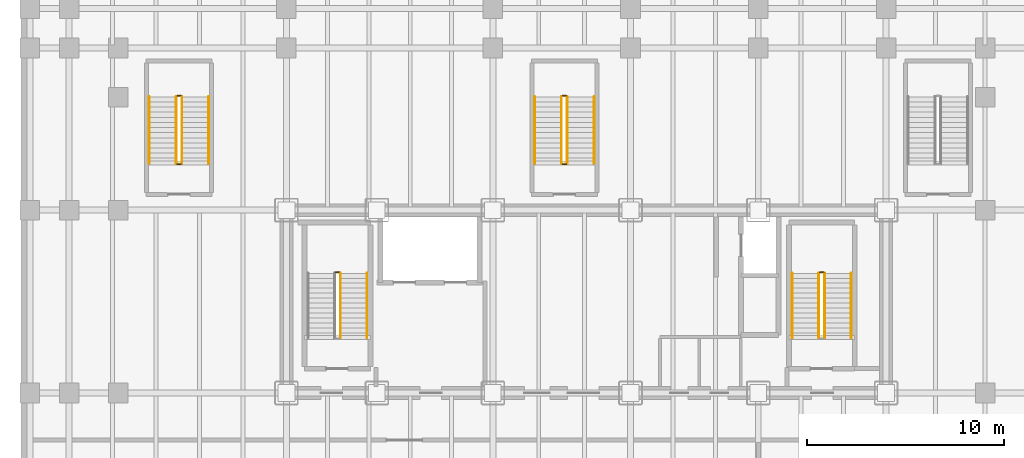
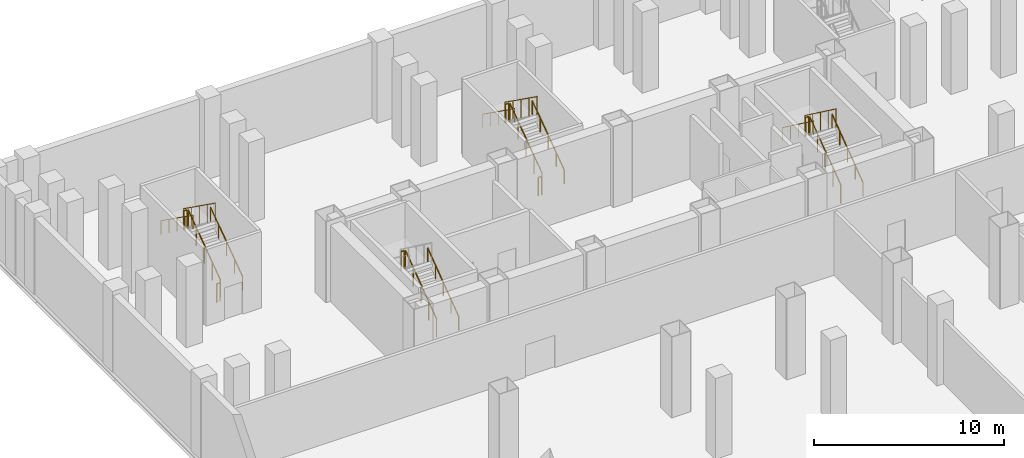
# One storey, part 14 of 15: 20 railings.
"""IFC4 building model written with IfcOpenShell, lengths in metres."""

from ifc_helpers import new_model, si_unit, direction, frame, origin, origin_2d, place, context, subcontext, project, spatial, circle, extrude, material, layer, layer_set, type_object, element, save


model = new_model("IFC4")

# Units and contexts
model_context = context("Model", 3, precision=1e-05, world=origin(), true_north=direction((0.0, 1.0)))
body_context = subcontext(model_context, "Body", "Model", "MODEL_VIEW")
ifc_project = project(units=[si_unit("LENGTHUNIT", "METRE"), si_unit("AREAUNIT", "SQUARE_METRE"), si_unit("VOLUMEUNIT", "CUBIC_METRE"), si_unit("PLANEANGLEUNIT", "RADIAN"), si_unit("MASSUNIT", "GRAM", prefix="KILO")], contexts=[model_context])

# Site, building, storey
site_placement = place(None, origin())
site = spatial("IfcSite", under=ifc_project, at=site_placement, CompositionType="ELEMENT")
building_placement = place(site_placement, origin())
building = spatial("IfcBuilding", under=site, at=building_placement, Name="Noeulbin Bourse Tower", CompositionType="ELEMENT")
storey_placement = place(building_placement, frame((0.0, 0.0, -10.199951171875)))
storey = spatial("IfcBuildingStorey", under=building, at=storey_placement, Name="B02", CompositionType="ELEMENT", Elevation=-10.199951171875)

# Railings
ifc_material_1 = material(Name="Painted Tubular Steel S355", Category="steel")
ifc_layer_1 = layer(ifc_material_1, 0.048095703125)
ifc_layer_set_1 = layer_set([ifc_layer_1], Name="Painted Tubular Steel S355")
railing_type_1 = type_object("IfcRailingType", Name="RLG-STR-GRD", PredefinedType="GUARDRAIL", material=ifc_layer_set_1)
railing_1_placement = place(storey_placement, frame((16.25, 31.81005859375, 0.185546875)))
element("IfcRailing", 1, at=railing_1_placement, inside=storey, type_object=railing_type_1, Name="B02 ST-1 stair guard 1", PredefinedType="GUARDRAIL", context=body_context, shape_type="SweptSolid", body=[
    extrude(circle(Radius=0.02392578125, at=origin_2d()), frame((0.0, 0.0, 1.17578125), z_axis=(0.0, 0.804997024378, 0.593278847375), x_axis=(-1.0, 0.0, 0.0)), (0.0, 0.0, 1.0), 4.0693359375),
    extrude(circle(Radius=0.02099609375, at=origin_2d()), origin(), (0.0, 0.0, 1.0), 1.15185546875),
    extrude(circle(Radius=0.02099609375, at=origin_2d()), frame((0.0, 0.81884765625, 0.603515625)), (0.0, 0.0, 1.0), 1.15185546875),
    extrude(circle(Radius=0.02099609375, at=origin_2d()), frame((0.0, 1.637939453125, 1.20703125)), (0.0, 0.0, 1.0), 1.15185546875),
    extrude(circle(Radius=0.02099609375, at=origin_2d()), frame((0.0, 2.45703125, 1.810791015625)), (0.0, 0.0, 1.0), 1.15185546875),
    extrude(circle(Radius=0.02099609375, at=origin_2d()), frame((0.0, 3.27587890625, 2.414306640625)), (0.0, 0.0, 1.0), 1.15185546875),
])
railing_2_placement = place(storey_placement, frame((16.199951171875, 35.135986328125, 2.599853515625)))
element("IfcRailing", 2, at=railing_2_placement, inside=storey, type_object=railing_type_1, Name="B02 ST-1 stair guard 2", PredefinedType="GUARDRAIL", context=body_context, shape_type="SweptSolid", body=[
    extrude(circle(Radius=0.02392578125, at=origin_2d()), frame((0.0, 0.0, 1.17578125), z_axis=(-1.0, 0.0, 0.0), x_axis=(0.0, -1.0, 0.0)), (0.0, 0.0, 1.0), 0.199951171875),
    extrude(circle(Radius=0.02099609375, at=origin_2d()), origin(), (0.0, 0.0, 1.0), 1.15185546875),
    extrude(circle(Radius=0.02099609375, at=origin_2d()), frame((-0.199951171875, 0.0, 0.0)), (0.0, 0.0, 1.0), 1.15185546875),
])
railing_3_placement = place(storey_placement, frame((40.8798828125, 31.81005859375, 0.185546875)))
element("IfcRailing", 3, at=railing_3_placement, inside=storey, type_object=railing_type_1, Name="B02 ST-2 stair guard 1", PredefinedType="GUARDRAIL", context=body_context, shape_type="SweptSolid", body=[
    extrude(circle(Radius=0.02392578125, at=origin_2d()), frame((0.0, 0.0, 1.17578125), z_axis=(0.0, 0.804997024378, 0.593278847375), x_axis=(-1.0, 0.0, 0.0)), (0.0, 0.0, 1.0), 4.0693359375),
    extrude(circle(Radius=0.02099609375, at=origin_2d()), origin(), (0.0, 0.0, 1.0), 1.15185546875),
    extrude(circle(Radius=0.02099609375, at=origin_2d()), frame((0.0, 0.81884765625, 0.603515625)), (0.0, 0.0, 1.0), 1.15185546875),
    extrude(circle(Radius=0.02099609375, at=origin_2d()), frame((0.0, 1.637939453125, 1.20703125)), (0.0, 0.0, 1.0), 1.15185546875),
    extrude(circle(Radius=0.02099609375, at=origin_2d()), frame((0.0, 2.45703125, 1.810791015625)), (0.0, 0.0, 1.0), 1.15185546875),
    extrude(circle(Radius=0.02099609375, at=origin_2d()), frame((0.0, 3.27587890625, 2.414306640625)), (0.0, 0.0, 1.0), 1.15185546875),
])
railing_4_placement = place(storey_placement, frame((40.830078125, 35.135986328125, 2.599853515625)))
element("IfcRailing", 4, at=railing_4_placement, inside=storey, type_object=railing_type_1, Name="B02 ST-2 stair guard 2", PredefinedType="GUARDRAIL", context=body_context, shape_type="SweptSolid", body=[
    extrude(circle(Radius=0.02392578125, at=origin_2d()), frame((0.0, 0.0, 1.17578125), z_axis=(-1.0, 0.0, 0.0), x_axis=(0.0, -1.0, 0.0)), (0.0, 0.0, 1.0), 0.2001953125),
    extrude(circle(Radius=0.02099609375, at=origin_2d()), origin(), (0.0, 0.0, 1.0), 1.15185546875),
    extrude(circle(Radius=0.02099609375, at=origin_2d()), frame((-0.2001953125, 0.0, 0.0)), (0.0, 0.0, 1.0), 1.15185546875),
])
railing_5_placement = place(storey_placement, frame((40.580078125, 35.0859375, 2.78564453125)))
element("IfcRailing", 5, at=railing_5_placement, inside=storey, type_object=railing_type_1, Name="B02 ST-2 stair guard 3", PredefinedType="GUARDRAIL", context=body_context, shape_type="SweptSolid", body=[
    extrude(circle(Radius=0.02392578125, at=origin_2d()), frame((0.0, 0.0, 1.17578125), z_axis=(0.0, -0.804997024378, 0.593278847375), x_axis=(1.0, 0.0, 0.0)), (0.0, 0.0, 1.0), 4.0693359375),
    extrude(circle(Radius=0.02099609375, at=origin_2d()), origin(), (0.0, 0.0, 1.0), 1.15185546875),
    extrude(circle(Radius=0.02099609375, at=origin_2d()), frame((0.0, -0.81884765625, 0.603515625)), (0.0, 0.0, 1.0), 1.15185546875),
    extrude(circle(Radius=0.02099609375, at=origin_2d()), frame((0.0, -1.637939453125, 1.20703125)), (0.0, 0.0, 1.0), 1.15185546875),
    extrude(circle(Radius=0.02099609375, at=origin_2d()), frame((0.0, -2.45703125, 1.810791015625)), (0.0, 0.0, 1.0), 1.15185546875),
    extrude(circle(Radius=0.02099609375, at=origin_2d()), frame((0.0, -3.27587890625, 2.414306640625)), (0.0, 0.0, 1.0), 1.15185546875),
])
railing_6_placement = place(storey_placement, frame((8.18994140625, 40.679931640625, 0.185546875)))
element("IfcRailing", 6, at=railing_6_placement, inside=storey, type_object=railing_type_1, Name="B02 ST-S1 stair guard 1", PredefinedType="GUARDRAIL", context=body_context, shape_type="SweptSolid", body=[
    extrude(circle(Radius=0.02392578125, at=origin_2d()), frame((0.0, 0.0, 1.17578125), z_axis=(0.0, 0.813741413713, 0.581227074049), x_axis=(-1.0, 0.0, 0.0)), (0.0, 0.0, 1.0), 4.15380859375),
    extrude(circle(Radius=0.02099609375, at=origin_2d()), origin(), (0.0, 0.0, 1.0), 1.15185546875),
    extrude(circle(Radius=0.02099609375, at=origin_2d()), frame((0.0, 0.844970703125, 0.603515625)), (0.0, 0.0, 1.0), 1.15185546875),
    extrude(circle(Radius=0.02099609375, at=origin_2d()), frame((0.0, 1.68994140625, 1.20703125)), (0.0, 0.0, 1.0), 1.15185546875),
    extrude(circle(Radius=0.02099609375, at=origin_2d()), frame((0.0, 2.53515625, 1.810791015625)), (0.0, 0.0, 1.0), 1.15185546875),
    extrude(circle(Radius=0.02099609375, at=origin_2d()), frame((0.0, 3.380126953125, 2.414306640625)), (0.0, 0.0, 1.0), 1.15185546875),
])
railing_7_placement = place(storey_placement, frame((8.139892578125, 44.110107421875, 2.599853515625)))
element("IfcRailing", 7, at=railing_7_placement, inside=storey, type_object=railing_type_1, Name="B02 ST-S1 stair guard 2", PredefinedType="GUARDRAIL", context=body_context, shape_type="SweptSolid", body=[
    extrude(circle(Radius=0.02392578125, at=origin_2d()), frame((0.0, 0.0, 1.17578125), z_axis=(-1.0, 0.0, 0.0), x_axis=(0.0, -1.0, 0.0)), (0.0, 0.0, 1.0), 0.199951171875),
    extrude(circle(Radius=0.02099609375, at=origin_2d()), origin(), (0.0, 0.0, 1.0), 1.15185546875),
    extrude(circle(Radius=0.02099609375, at=origin_2d()), frame((-0.199951171875, 0.0, 0.0)), (0.0, 0.0, 1.0), 1.15185546875),
])
railing_8_placement = place(storey_placement, frame((7.889892578125, 44.06005859375, 2.78564453125)))
element("IfcRailing", 8, at=railing_8_placement, inside=storey, type_object=railing_type_1, Name="B02 ST-S1 stair guard 3", PredefinedType="GUARDRAIL", context=body_context, shape_type="SweptSolid", body=[
    extrude(circle(Radius=0.02392578125, at=origin_2d()), frame((0.0, 0.0, 1.17578125), z_axis=(0.0, -0.813741413713, 0.581227074049), x_axis=(1.0, 0.0, 0.0)), (0.0, 0.0, 1.0), 4.15380859375),
    extrude(circle(Radius=0.02099609375, at=origin_2d()), origin(), (0.0, 0.0, 1.0), 1.15185546875),
    extrude(circle(Radius=0.02099609375, at=origin_2d()), frame((0.0, -0.844970703125, 0.603515625)), (0.0, 0.0, 1.0), 1.15185546875),
    extrude(circle(Radius=0.02099609375, at=origin_2d()), frame((0.0, -1.68994140625, 1.20703125)), (0.0, 0.0, 1.0), 1.15185546875),
    extrude(circle(Radius=0.02099609375, at=origin_2d()), frame((0.0, -2.53515625, 1.810791015625)), (0.0, 0.0, 1.0), 1.15185546875),
    extrude(circle(Radius=0.02099609375, at=origin_2d()), frame((0.0, -3.380126953125, 2.414306640625)), (0.0, 0.0, 1.0), 1.15185546875),
])
railing_9_placement = place(storey_placement, frame((8.139892578125, 40.6298828125, 0.0)))
element("IfcRailing", 9, at=railing_9_placement, inside=storey, type_object=railing_type_1, Name="B02 ST-S1 stair guard 4", PredefinedType="GUARDRAIL", context=body_context, shape_type="SweptSolid", body=[
    extrude(circle(Radius=0.02392578125, at=origin_2d()), frame((0.0, 0.0, 1.17578125), z_axis=(-1.0, 0.0, 0.0), x_axis=(0.0, -1.0, 0.0)), (0.0, 0.0, 1.0), 0.199951171875),
    extrude(circle(Radius=0.02099609375, at=origin_2d()), origin(), (0.0, 0.0, 1.0), 1.15185546875),
    extrude(circle(Radius=0.02099609375, at=origin_2d()), frame((-0.199951171875, 0.0, 0.0)), (0.0, 0.0, 1.0), 1.15185546875),
])
railing_10_placement = place(storey_placement, frame((27.7900390625, 40.679931640625, 0.185546875)))
element("IfcRailing", 10, at=railing_10_placement, inside=storey, type_object=railing_type_1, Name="B02 ST-S2 stair guard 1", PredefinedType="GUARDRAIL", context=body_context, shape_type="SweptSolid", body=[
    extrude(circle(Radius=0.02392578125, at=origin_2d()), frame((0.0, 0.0, 1.17578125), z_axis=(0.0, 0.813741413713, 0.581227074049), x_axis=(-1.0, 0.0, 0.0)), (0.0, 0.0, 1.0), 4.15380859375),
    extrude(circle(Radius=0.02099609375, at=origin_2d()), origin(), (0.0, 0.0, 1.0), 1.15185546875),
    extrude(circle(Radius=0.02099609375, at=origin_2d()), frame((0.0, 0.844970703125, 0.603515625)), (0.0, 0.0, 1.0), 1.15185546875),
    extrude(circle(Radius=0.02099609375, at=origin_2d()), frame((0.0, 1.68994140625, 1.20703125)), (0.0, 0.0, 1.0), 1.15185546875),
    extrude(circle(Radius=0.02099609375, at=origin_2d()), frame((0.0, 2.53515625, 1.810791015625)), (0.0, 0.0, 1.0), 1.15185546875),
    extrude(circle(Radius=0.02099609375, at=origin_2d()), frame((0.0, 3.380126953125, 2.414306640625)), (0.0, 0.0, 1.0), 1.15185546875),
])
railing_11_placement = place(storey_placement, frame((27.739990234375, 44.110107421875, 2.599853515625)))
element("IfcRailing", 11, at=railing_11_placement, inside=storey, type_object=railing_type_1, Name="B02 ST-S2 stair guard 2", PredefinedType="GUARDRAIL", context=body_context, shape_type="SweptSolid", body=[
    extrude(circle(Radius=0.02392578125, at=origin_2d()), frame((0.0, 0.0, 1.17578125), z_axis=(-1.0, 0.0, 0.0), x_axis=(0.0, -1.0, 0.0)), (0.0, 0.0, 1.0), 0.199951171875),
    extrude(circle(Radius=0.02099609375, at=origin_2d()), origin(), (0.0, 0.0, 1.0), 1.15185546875),
    extrude(circle(Radius=0.02099609375, at=origin_2d()), frame((-0.199951171875, 0.0, 0.0)), (0.0, 0.0, 1.0), 1.15185546875),
])
railing_12_placement = place(storey_placement, frame((27.489990234375, 44.06005859375, 2.78564453125)))
element("IfcRailing", 12, at=railing_12_placement, inside=storey, type_object=railing_type_1, Name="B02 ST-S2 stair guard 3", PredefinedType="GUARDRAIL", context=body_context, shape_type="SweptSolid", body=[
    extrude(circle(Radius=0.02392578125, at=origin_2d()), frame((0.0, 0.0, 1.17578125), z_axis=(0.0, -0.813741413713, 0.581227074049), x_axis=(1.0, 0.0, 0.0)), (0.0, 0.0, 1.0), 4.15380859375),
    extrude(circle(Radius=0.02099609375, at=origin_2d()), origin(), (0.0, 0.0, 1.0), 1.15185546875),
    extrude(circle(Radius=0.02099609375, at=origin_2d()), frame((0.0, -0.844970703125, 0.603515625)), (0.0, 0.0, 1.0), 1.15185546875),
    extrude(circle(Radius=0.02099609375, at=origin_2d()), frame((0.0, -1.68994140625, 1.20703125)), (0.0, 0.0, 1.0), 1.15185546875),
    extrude(circle(Radius=0.02099609375, at=origin_2d()), frame((0.0, -2.53515625, 1.810791015625)), (0.0, 0.0, 1.0), 1.15185546875),
    extrude(circle(Radius=0.02099609375, at=origin_2d()), frame((0.0, -3.380126953125, 2.414306640625)), (0.0, 0.0, 1.0), 1.15185546875),
])
railing_13_placement = place(storey_placement, frame((27.739990234375, 40.6298828125, 0.0)))
element("IfcRailing", 13, at=railing_13_placement, inside=storey, type_object=railing_type_1, Name="B02 ST-S2 stair guard 4", PredefinedType="GUARDRAIL", context=body_context, shape_type="SweptSolid", body=[
    extrude(circle(Radius=0.02392578125, at=origin_2d()), frame((0.0, 0.0, 1.17578125), z_axis=(-1.0, 0.0, 0.0), x_axis=(0.0, -1.0, 0.0)), (0.0, 0.0, 1.0), 0.199951171875),
    extrude(circle(Radius=0.02099609375, at=origin_2d()), origin(), (0.0, 0.0, 1.0), 1.15185546875),
    extrude(circle(Radius=0.02099609375, at=origin_2d()), frame((-0.199951171875, 0.0, 0.0)), (0.0, 0.0, 1.0), 1.15185546875),
])
ifc_material_2 = material(Name="Brushed Stainless Steel 316", Category="steel")
ifc_layer_2 = layer(ifc_material_2, 0.048095703125)
ifc_layer_set_2 = layer_set([ifc_layer_2], Name="Brushed Stainless Steel 316")
railing_type_2 = type_object("IfcRailingType", Name="RLG-STR-HND", PredefinedType="HANDRAIL", material=ifc_layer_set_2)
for number, where, name in (
    (14, (17.60009765625, 31.81005859375, 0.185546875), "B02 ST-1 stair handrail 1"),
    (15, (42.22998046875, 31.81005859375, 0.185546875), "B02 ST-2 stair handrail 1"),
):
    element("IfcRailing", number, at=place(storey_placement, frame(where)), inside=storey, type_object=railing_type_2, Name=name, PredefinedType="HANDRAIL", context=body_context, shape_type="SweptSolid", body=[
        extrude(circle(Radius=0.02392578125, at=origin_2d()), frame((0.0, 0.0, 0.8759765625), z_axis=(0.0, 0.804997024378, 0.593278847375), x_axis=(-1.0, 0.0, 0.0)), (0.0, 0.0, 1.0), 4.0693359375),
        extrude(circle(Radius=0.02099609375, at=origin_2d()), origin(), (0.0, 0.0, 1.0), 0.851806640625),
        extrude(circle(Radius=0.02099609375, at=origin_2d()), frame((0.0, 0.81884765625, 0.603515625)), (0.0, 0.0, 1.0), 0.851806640625),
        extrude(circle(Radius=0.02099609375, at=origin_2d()), frame((0.0, 1.637939453125, 1.20703125)), (0.0, 0.0, 1.0), 0.851806640625),
        extrude(circle(Radius=0.02099609375, at=origin_2d()), frame((0.0, 2.45703125, 1.810791015625)), (0.0, 0.0, 1.0), 0.851806640625),
        extrude(circle(Radius=0.02099609375, at=origin_2d()), frame((0.0, 3.27587890625, 2.414306640625)), (0.0, 0.0, 1.0), 0.851806640625),
    ])
railing_14_placement = place(storey_placement, frame((39.22998046875, 35.0859375, 2.78564453125)))
element("IfcRailing", 16, at=railing_14_placement, inside=storey, type_object=railing_type_2, Name="B02 ST-2 stair handrail 2", PredefinedType="HANDRAIL", context=body_context, shape_type="SweptSolid", body=[
    extrude(circle(Radius=0.02392578125, at=origin_2d()), frame((0.0, 0.0, 0.8759765625), z_axis=(0.0, -0.804997024378, 0.593278847375), x_axis=(1.0, 0.0, 0.0)), (0.0, 0.0, 1.0), 4.0693359375),
    extrude(circle(Radius=0.02099609375, at=origin_2d()), origin(), (0.0, 0.0, 1.0), 0.851806640625),
    extrude(circle(Radius=0.02099609375, at=origin_2d()), frame((0.0, -0.81884765625, 0.603515625)), (0.0, 0.0, 1.0), 0.851806640625),
    extrude(circle(Radius=0.02099609375, at=origin_2d()), frame((0.0, -1.637939453125, 1.20703125)), (0.0, 0.0, 1.0), 0.851806640625),
    extrude(circle(Radius=0.02099609375, at=origin_2d()), frame((0.0, -2.45703125, 1.810791015625)), (0.0, 0.0, 1.0), 0.851806640625),
    extrude(circle(Radius=0.02099609375, at=origin_2d()), frame((0.0, -3.27587890625, 2.414306640625)), (0.0, 0.0, 1.0), 0.851806640625),
])
railing_15_placement = place(storey_placement, frame((9.550048828125, 40.679931640625, 0.185546875)))
element("IfcRailing", 17, at=railing_15_placement, inside=storey, type_object=railing_type_2, Name="B02 ST-S1 stair handrail 1", PredefinedType="HANDRAIL", context=body_context, shape_type="SweptSolid", body=[
    extrude(circle(Radius=0.02392578125, at=origin_2d()), frame((0.0, 0.0, 0.8759765625), z_axis=(0.0, 0.813741413713, 0.581227074049), x_axis=(-1.0, 0.0, 0.0)), (0.0, 0.0, 1.0), 4.15380859375),
    extrude(circle(Radius=0.02099609375, at=origin_2d()), origin(), (0.0, 0.0, 1.0), 0.851806640625),
    extrude(circle(Radius=0.02099609375, at=origin_2d()), frame((0.0, 0.844970703125, 0.603515625)), (0.0, 0.0, 1.0), 0.851806640625),
    extrude(circle(Radius=0.02099609375, at=origin_2d()), frame((0.0, 1.68994140625, 1.20703125)), (0.0, 0.0, 1.0), 0.851806640625),
    extrude(circle(Radius=0.02099609375, at=origin_2d()), frame((0.0, 2.53515625, 1.810791015625)), (0.0, 0.0, 1.0), 0.851806640625),
    extrude(circle(Radius=0.02099609375, at=origin_2d()), frame((0.0, 3.380126953125, 2.414306640625)), (0.0, 0.0, 1.0), 0.851806640625),
])
railing_16_placement = place(storey_placement, frame((6.530029296875, 44.06005859375, 2.78564453125)))
element("IfcRailing", 18, at=railing_16_placement, inside=storey, type_object=railing_type_2, Name="B02 ST-S1 stair handrail 2", PredefinedType="HANDRAIL", context=body_context, shape_type="SweptSolid", body=[
    extrude(circle(Radius=0.02392578125, at=origin_2d()), frame((0.0, 0.0, 0.8759765625), z_axis=(0.0, -0.813741413713, 0.581227074049), x_axis=(1.0, 0.0, 0.0)), (0.0, 0.0, 1.0), 4.15380859375),
    extrude(circle(Radius=0.02099609375, at=origin_2d()), origin(), (0.0, 0.0, 1.0), 0.851806640625),
    extrude(circle(Radius=0.02099609375, at=origin_2d()), frame((0.0, -0.844970703125, 0.603515625)), (0.0, 0.0, 1.0), 0.851806640625),
    extrude(circle(Radius=0.02099609375, at=origin_2d()), frame((0.0, -1.68994140625, 1.20703125)), (0.0, 0.0, 1.0), 0.851806640625),
    extrude(circle(Radius=0.02099609375, at=origin_2d()), frame((0.0, -2.53515625, 1.810791015625)), (0.0, 0.0, 1.0), 0.851806640625),
    extrude(circle(Radius=0.02099609375, at=origin_2d()), frame((0.0, -3.380126953125, 2.414306640625)), (0.0, 0.0, 1.0), 0.851806640625),
])
railing_17_placement = place(storey_placement, frame((29.14990234375, 40.679931640625, 0.185546875)))
element("IfcRailing", 19, at=railing_17_placement, inside=storey, type_object=railing_type_2, Name="B02 ST-S2 stair handrail 1", PredefinedType="HANDRAIL", context=body_context, shape_type="SweptSolid", body=[
    extrude(circle(Radius=0.02392578125, at=origin_2d()), frame((0.0, 0.0, 0.8759765625), z_axis=(0.0, 0.813741413713, 0.581227074049), x_axis=(-1.0, 0.0, 0.0)), (0.0, 0.0, 1.0), 4.15380859375),
    extrude(circle(Radius=0.02099609375, at=origin_2d()), origin(), (0.0, 0.0, 1.0), 0.851806640625),
    extrude(circle(Radius=0.02099609375, at=origin_2d()), frame((0.0, 0.844970703125, 0.603515625)), (0.0, 0.0, 1.0), 0.851806640625),
    extrude(circle(Radius=0.02099609375, at=origin_2d()), frame((0.0, 1.68994140625, 1.20703125)), (0.0, 0.0, 1.0), 0.851806640625),
    extrude(circle(Radius=0.02099609375, at=origin_2d()), frame((0.0, 2.53515625, 1.810791015625)), (0.0, 0.0, 1.0), 0.851806640625),
    extrude(circle(Radius=0.02099609375, at=origin_2d()), frame((0.0, 3.380126953125, 2.414306640625)), (0.0, 0.0, 1.0), 0.851806640625),
])
railing_18_placement = place(storey_placement, frame((26.1298828125, 44.06005859375, 2.78564453125)))
element("IfcRailing", 20, at=railing_18_placement, inside=storey, type_object=railing_type_2, Name="B02 ST-S2 stair handrail 2", PredefinedType="HANDRAIL", context=body_context, shape_type="SweptSolid", body=[
    extrude(circle(Radius=0.02392578125, at=origin_2d()), frame((0.0, 0.0, 0.8759765625), z_axis=(0.0, -0.813741413713, 0.581227074049), x_axis=(1.0, 0.0, 0.0)), (0.0, 0.0, 1.0), 4.15380859375),
    extrude(circle(Radius=0.02099609375, at=origin_2d()), origin(), (0.0, 0.0, 1.0), 0.851806640625),
    extrude(circle(Radius=0.02099609375, at=origin_2d()), frame((0.0, -0.844970703125, 0.603515625)), (0.0, 0.0, 1.0), 0.851806640625),
    extrude(circle(Radius=0.02099609375, at=origin_2d()), frame((0.0, -1.68994140625, 1.20703125)), (0.0, 0.0, 1.0), 0.851806640625),
    extrude(circle(Radius=0.02099609375, at=origin_2d()), frame((0.0, -2.53515625, 1.810791015625)), (0.0, 0.0, 1.0), 0.851806640625),
    extrude(circle(Radius=0.02099609375, at=origin_2d()), frame((0.0, -3.380126953125, 2.414306640625)), (0.0, 0.0, 1.0), 0.851806640625),
])

save(model, "model.ifc")
